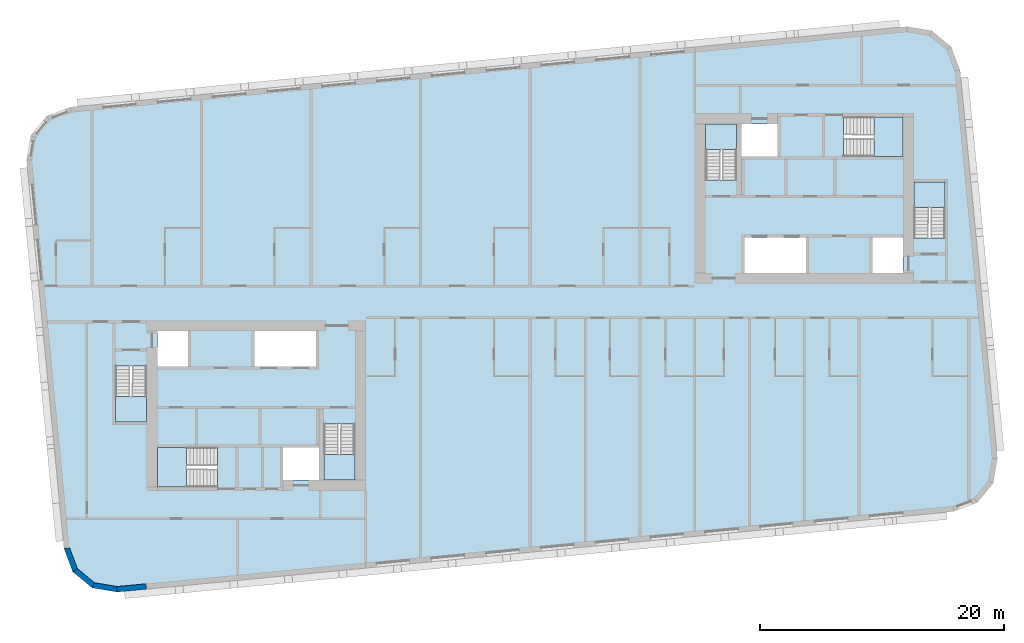
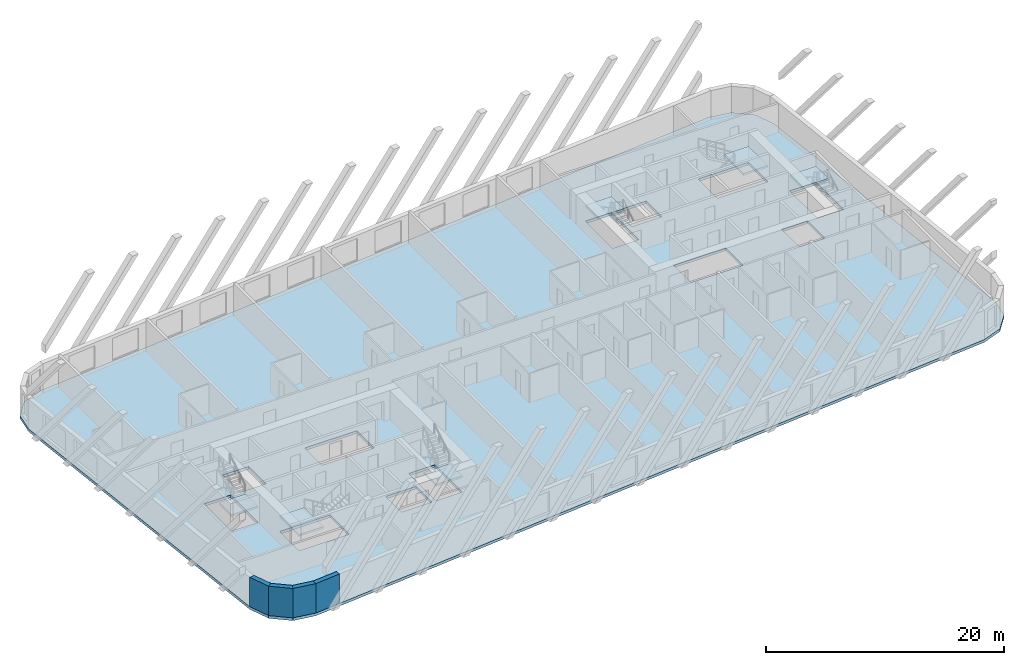
# One storey, part 1 of 12: 7 slabs, 4 walls, 6 elements without a shape of their own.
"""IFC4 building model written with IfcOpenShell, lengths in metres."""

from ifc_helpers import new_model, si_unit, direction, frame, frame_2d, origin, place, context, subcontext, project, spatial, polyline, rectangle, outline, extrude, material, layer, layer_set, type_object, element, aggregate, save


model = new_model("IFC4")

# Units and contexts
model_context = context("Model", 3, precision=1e-05, world=origin(), true_north=direction((0.0, 1.0)))
body_context = subcontext(model_context, "Body", "Model", "MODEL_VIEW")
ifc_project = project(units=[si_unit("LENGTHUNIT", "METRE"), si_unit("AREAUNIT", "SQUARE_METRE"), si_unit("VOLUMEUNIT", "CUBIC_METRE"), si_unit("PLANEANGLEUNIT", "RADIAN"), si_unit("MASSUNIT", "GRAM", prefix="KILO")], contexts=[model_context])

# Site, building, storey
site_placement = place(None, origin())
site = spatial("IfcSite", under=ifc_project, at=site_placement, CompositionType="ELEMENT")
building_placement = place(site_placement, origin())
building = spatial("IfcBuilding", under=site, at=building_placement, Name="Kajstack Hotel Tower", CompositionType="ELEMENT")
storey_placement = place(building_placement, frame((0.0, 0.0, 278.39990234375)))
storey = spatial("IfcBuildingStorey", under=building, at=storey_placement, Name="L69", CompositionType="ELEMENT", Elevation=278.39990234375)

# Slab
ifc_material_1 = material(Name="Concrete C40/50", Category="concrete")
ifc_layer_1 = layer(ifc_material_1, 0.280029296875)
ifc_layer_set_1 = layer_set([ifc_layer_1], Name="RC slab 280 C40/50 guest")
slab_type_1 = type_object("IfcSlabType", Name="RC slab 280 C40/50 guest", PredefinedType="FLOOR", material=ifc_layer_set_1)
slab_1_placement = place(storey_placement, frame((0.0, 0.0, -0.27978515625)))
element("IfcSlab", 1, at=slab_1_placement, inside=storey, type_object=slab_type_1, Name="S-slab-L69", PredefinedType="FLOOR", context=body_context, shape_type="SweptSolid", body=[
    extrude(outline(polyline([(-41.356201171875, 11.63623046875), (-38.289306640625, -20.21630859375), (-37.564208984375, -22.15576171875), (-35.96630859375, -23.472900390625), (-33.92431640625, -23.814697265625), (34.758056640625, -17.201171875), (36.697509765625, -16.47607421875), (38.014404296875, -14.87841796875), (38.356201171875, -12.836181640625), (35.289306640625, 19.016357421875), (34.564208984375, 20.955810546875), (32.96630859375, 22.27294921875), (30.92431640625, 22.614501953125), (-37.758056640625, 16.001220703125), (-39.697509765625, 15.276123046875), (-41.014404296875, 13.678466796875), (-41.356201171875, 11.63623046875)]), holes=[polyline([(-22.64990234375, -5.300048828125), (-22.64990234375, -2.39990234375), (-17.60009765625, -2.39990234375), (-17.60009765625, -5.300048828125), (-22.64990234375, -5.300048828125)]), polyline([(-20.300048828125, -14.60009765625), (-17.35009765625, -14.60009765625), (-17.35009765625, -11.949951171875), (-20.300048828125, -11.949951171875), (-20.300048828125, -14.60009765625)]), polyline([(-30.60009765625, -5.300048828125), (-28.10009765625, -5.300048828125), (-28.10009765625, -2.39990234375), (-30.60009765625, -2.39990234375), (-30.60009765625, -5.300048828125)]), polyline([(17.60009765625, 2.39990234375), (17.60009765625, 5.300048828125), (22.64990234375, 5.300048828125), (22.64990234375, 2.39990234375), (17.60009765625, 2.39990234375)]), polyline([(20.300048828125, 14.60009765625), (17.35009765625, 14.60009765625), (17.35009765625, 11.949951171875), (20.300048828125, 11.949951171875), (20.300048828125, 14.60009765625)]), polyline([(30.60009765625, 5.300048828125), (28.10009765625, 5.300048828125), (28.10009765625, 2.39990234375), (30.60009765625, 2.39990234375), (30.60009765625, 5.300048828125)]), polyline([(-34.050048828125, -9.85009765625), (-31.5, -9.85009765625), (-31.5, -5.25), (-34.050048828125, -5.25), (-34.050048828125, -9.85009765625)]), polyline([(-16.949951171875, -14.60009765625), (-14.39990234375, -14.60009765625), (-14.39990234375, -10.0), (-16.949951171875, -10.0), (-16.949951171875, -14.60009765625)]), polyline([(-30.60009765625, -15.199951171875), (-25.699951171875, -15.199951171875), (-25.699951171875, -11.949951171875), (-30.60009765625, -11.949951171875), (-30.60009765625, -15.199951171875)]), polyline([(34.050048828125, 9.85009765625), (31.5, 9.85009765625), (31.5, 5.25), (34.050048828125, 5.25), (34.050048828125, 9.85009765625)]), polyline([(16.949951171875, 14.60009765625), (14.39990234375, 14.60009765625), (14.39990234375, 10.0), (16.949951171875, 10.0), (16.949951171875, 14.60009765625)]), polyline([(30.60009765625, 15.199951171875), (25.699951171875, 15.199951171875), (25.699951171875, 11.949951171875), (30.60009765625, 11.949951171875), (30.60009765625, 15.199951171875)])]), origin(), (0.0, 0.0, 1.0), 0.27978515625),
])

# Stair, slab
stair_type_1 = type_object("IfcStairType", Name="Exit stair 1200", PredefinedType="HALF_TURN_STAIR", material=ifc_material_1)
stair_1_placement = place(storey_placement, origin())
stair_1 = element("IfcStair", 2, at=stair_1_placement, inside=storey, type_object=stair_type_1, Name="L69 stair W1", PredefinedType="HALF_TURN_STAIR")
ifc_layer_2 = layer(ifc_material_1, 0.199951171875)
ifc_layer_set_2 = layer_set([ifc_layer_2], Name="Stair landing 200")
slab_type_2 = type_object("IfcSlabType", Name="Stair landing 200", PredefinedType="LANDING", material=ifc_layer_set_2)
slab_2_placement = place(storey_placement, frame((0.0, 0.0, 1.4501953125)))
slab_2 = element("IfcSlab", 3, at=slab_2_placement, type_object=slab_type_2, Name="W1 landing 1", PredefinedType="LANDING", context=body_context, shape_type="SweptSolid", body=[
    extrude(outline(polyline([(-34.050048828125, -7.77001953125), (-34.050048828125, -9.85009765625), (-31.5, -9.85009765625), (-31.5, -7.77001953125), (-34.050048828125, -7.77001953125)])), origin(), (0.0, 0.0, 1.0), 0.199951171875),
])
aggregate(stair_1, [slab_2])

stair_2_placement = place(storey_placement, origin())
stair_2 = element("IfcStair", 4, at=stair_2_placement, inside=storey, type_object=stair_type_1, Name="L69 stair W2", PredefinedType="HALF_TURN_STAIR")
slab_3_placement = place(storey_placement, frame((0.0, 0.0, 1.4501953125)))
slab_3 = element("IfcSlab", 5, at=slab_3_placement, type_object=slab_type_2, Name="W2 landing 1", PredefinedType="LANDING", context=body_context, shape_type="SweptSolid", body=[
    extrude(outline(polyline([(-16.949951171875, -12.52001953125), (-16.949951171875, -14.60009765625), (-14.39990234375, -14.60009765625), (-14.39990234375, -12.52001953125), (-16.949951171875, -12.52001953125)])), origin(), (0.0, 0.0, 1.0), 0.199951171875),
])
aggregate(stair_2, [slab_3])

stair_type_2 = type_object("IfcStairType", Name="Exit stair 1500", PredefinedType="HALF_TURN_STAIR", material=ifc_material_1)
stair_3_placement = place(storey_placement, origin())
stair_3 = element("IfcStair", 6, at=stair_3_placement, inside=storey, type_object=stair_type_2, Name="L69 stair W3", PredefinedType="HALF_TURN_STAIR")
slab_4_placement = place(storey_placement, frame((0.0, 0.0, 1.4501953125)))
slab_4 = element("IfcSlab", 7, at=slab_4_placement, type_object=slab_type_2, Name="W3 landing 1", PredefinedType="LANDING", context=body_context, shape_type="SweptSolid", body=[
    extrude(outline(polyline([(-28.219970703125, -11.949951171875), (-30.60009765625, -11.949951171875), (-30.60009765625, -15.199951171875), (-28.219970703125, -15.199951171875), (-28.219970703125, -11.949951171875)])), origin(), (0.0, 0.0, 1.0), 0.199951171875),
])
aggregate(stair_3, [slab_4])

stair_4_placement = place(storey_placement, origin())
stair_4 = element("IfcStair", 8, at=stair_4_placement, inside=storey, type_object=stair_type_1, Name="L69 stair E1", PredefinedType="HALF_TURN_STAIR")
slab_5_placement = place(storey_placement, frame((0.0, 0.0, 1.4501953125)))
slab_5 = element("IfcSlab", 9, at=slab_5_placement, type_object=slab_type_2, Name="E1 landing 1", PredefinedType="LANDING", context=body_context, shape_type="SweptSolid", body=[
    extrude(outline(polyline([(34.050048828125, 7.77001953125), (34.050048828125, 9.85009765625), (31.5, 9.85009765625), (31.5, 7.77001953125), (34.050048828125, 7.77001953125)])), origin(), (0.0, 0.0, 1.0), 0.199951171875),
])
aggregate(stair_4, [slab_5])

stair_5_placement = place(storey_placement, origin())
stair_5 = element("IfcStair", 10, at=stair_5_placement, inside=storey, type_object=stair_type_1, Name="L69 stair E2", PredefinedType="HALF_TURN_STAIR")
slab_6_placement = place(storey_placement, frame((0.0, 0.0, 1.4501953125)))
slab_6 = element("IfcSlab", 11, at=slab_6_placement, type_object=slab_type_2, Name="E2 landing 1", PredefinedType="LANDING", context=body_context, shape_type="SweptSolid", body=[
    extrude(outline(polyline([(16.949951171875, 12.52001953125), (16.949951171875, 14.60009765625), (14.39990234375, 14.60009765625), (14.39990234375, 12.52001953125), (16.949951171875, 12.52001953125)])), origin(), (0.0, 0.0, 1.0), 0.199951171875),
])
aggregate(stair_5, [slab_6])

stair_6_placement = place(storey_placement, origin())
stair_6 = element("IfcStair", 12, at=stair_6_placement, inside=storey, type_object=stair_type_2, Name="L69 stair E3", PredefinedType="HALF_TURN_STAIR")
slab_7_placement = place(storey_placement, frame((0.0, 0.0, 1.4501953125)))
slab_7 = element("IfcSlab", 13, at=slab_7_placement, type_object=slab_type_2, Name="E3 landing 1", PredefinedType="LANDING", context=body_context, shape_type="SweptSolid", body=[
    extrude(outline(polyline([(28.219970703125, 11.949951171875), (30.60009765625, 11.949951171875), (30.60009765625, 15.199951171875), (28.219970703125, 15.199951171875), (28.219970703125, 11.949951171875)])), origin(), (0.0, 0.0, 1.0), 0.199951171875),
])
aggregate(stair_6, [slab_7])

# Walls
ifc_material_2 = material(Name="Terracotta-faced brick masonry", Category="masonry")
ifc_layer_3 = layer(ifc_material_2, 0.449951171875)
ifc_layer_set_3 = layer_set([ifc_layer_3], Name="EW-TERRA")
wall_type = type_object("IfcWallType", Name="EW-TERRA", PredefinedType="SOLIDWALL", material=ifc_layer_set_3)
wall_1_placement = place(storey_placement, frame((-38.078369140625, -20.1376953125, 0.0), z_axis=(0.0, 0.0, 1.0), x_axis=(0.350231589928, -0.936663137642, 0.0)))
element("IfcWall", 14, at=wall_1_placement, inside=storey, type_object=wall_type, Name="E-wall-L69-01-00", PredefinedType="SOLIDWALL", context=body_context, shape_type="SweptSolid", body=[
    extrude(outline(polyline([(0.0, -0.22509765625), (2.0703125, -0.22509765625), (1.949951171875, 0.224853515625), (0.120361328125, 0.224853515625), (0.0, -0.22509765625)])), origin(), (0.0, 0.0, 1.0), 3.02001953125),
])
wall_2_placement = place(storey_placement, frame((-37.4208984375, -21.982177734375, 0.0), z_axis=(0.0, 0.0, 1.0), x_axis=(0.771593176315, -0.636116318187, 0.0)))
element("IfcWall", 15, at=wall_2_placement, inside=storey, type_object=wall_type, Name="E-wall-L69-02-00", PredefinedType="SOLIDWALL", context=body_context, shape_type="SweptSolid", body=[
    extrude(outline(polyline([(0.0, -0.22509765625), (2.070556640625, -0.22509765625), (1.949951171875, 0.22509765625), (0.12060546875, 0.224853515625), (0.0, -0.22509765625)])), origin(), (0.0, 0.0, 1.0), 3.02001953125),
])
wall_3_placement = place(storey_placement, frame((-35.92919921875, -23.2509765625, 0.0), z_axis=(0.0, 0.0, 1.0), x_axis=(0.986278951104, -0.165087342366, 0.0)))
element("IfcWall", 16, at=wall_3_placement, inside=storey, type_object=wall_type, Name="E-wall-L69-03-00", PredefinedType="SOLIDWALL", context=body_context, shape_type="SweptSolid", body=[
    extrude(outline(polyline([(0.0, -0.22509765625), (2.070556640625, -0.224853515625), (1.949951171875, 0.22509765625), (0.12060546875, 0.22509765625), (0.0, -0.22509765625)])), origin(), (0.0, 0.0, 1.0), 3.02001953125),
])
wall_4_placement = place(storey_placement, frame((-33.94580078125, -23.590576171875, 0.0), z_axis=(0.0, 0.0, 1.0), x_axis=(0.995397635156, 0.095830829729, 0.0)))
element("IfcWall", 17, at=wall_4_placement, inside=storey, type_object=wall_type, Name="E-wall-L69-04-00", PredefinedType="SOLIDWALL", context=body_context, shape_type="SweptSolid", body=[
    extrude(rectangle(XDim=2.435546875, YDim=0.449951171875, at=frame_2d((1.2177734375, 0.0))), origin(), (0.0, 0.0, 1.0), 3.02001953125),
])

save(model, "model.ifc")
